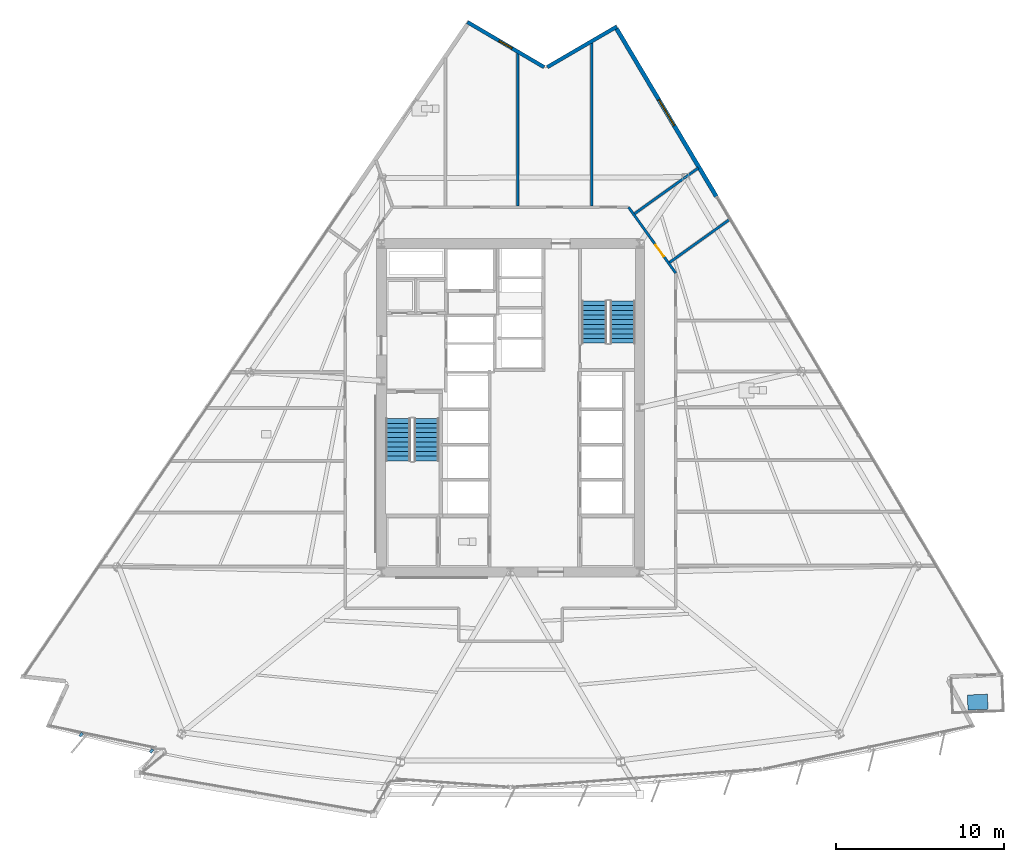
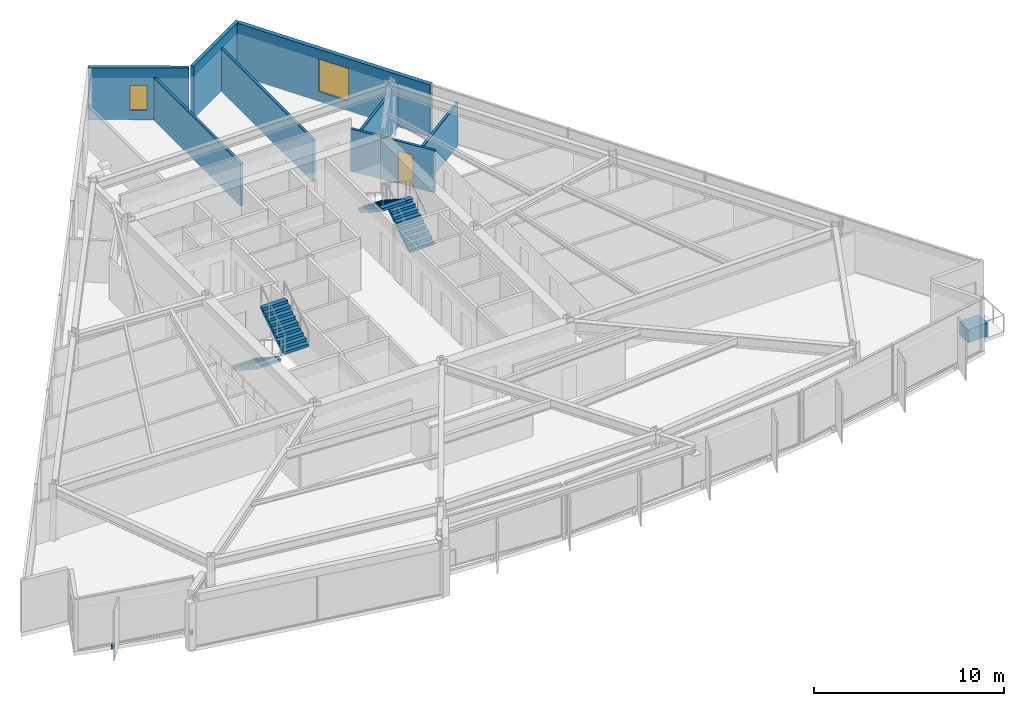
# One storey, part 11 of 17: 8 walls, 4 stair flights, 3 discrete accessories, 2 windows, 1 door, 3 openings, 2 elements without a shape of their own.
"""IFC4 building model written with IfcOpenShell, lengths in metres."""

from ifc_helpers import new_model, si_unit, direction, frame, frame_2d, origin, origin_2d, place, context, subcontext, project, spatial, polyline, rectangle, outline, extrude, material, layer, layer_set, type_object, element, fill, aggregate, save


model = new_model("IFC4")

# Units and contexts
model_context = context("Model", 3, precision=1e-05, world=origin(), true_north=direction((0.0, 1.0)))
body_context = subcontext(model_context, "Body", "Model", "MODEL_VIEW")
ifc_project = project(units=[si_unit("LENGTHUNIT", "METRE"), si_unit("AREAUNIT", "SQUARE_METRE"), si_unit("VOLUMEUNIT", "CUBIC_METRE"), si_unit("PLANEANGLEUNIT", "RADIAN"), si_unit("MASSUNIT", "GRAM", prefix="KILO")], contexts=[model_context])

# Site, building, storey
site_placement = place(None, origin())
site = spatial("IfcSite", under=ifc_project, at=site_placement, CompositionType="ELEMENT")
building_placement = place(site_placement, origin())
building = spatial("IfcBuilding", under=site, at=building_placement, Name="Savorim Split Tower", CompositionType="ELEMENT")
storey_placement = place(building_placement, frame((0.0, 0.0, 62.39990234375)))
storey = spatial("IfcBuildingStorey", under=building, at=storey_placement, Name="L16", CompositionType="ELEMENT", Elevation=62.39990234375)

# Wall
ifc_material_1 = material(Name="Precast concrete C40/50", Category="concrete")
ifc_layer_1 = layer(ifc_material_1, 0.219970703125)
ifc_layer_set_1 = layer_set([ifc_layer_1], Name="WAL-EXT-CRN220")
wall_type_1 = type_object("IfcWallType", Name="WAL-EXT-CRN220", PredefinedType="SOLIDWALL", material=ifc_layer_set_1)
wall_1_placement = place(storey_placement, frame((2.193359375, 20.71337890625, 0.0), z_axis=(0.0, 0.0, 1.0), x_axis=(0.863964978951, 0.503551899159, 0.0)))
element("IfcWall", 1, at=wall_1_placement, inside=storey, type_object=wall_type_1, Name="L16 Notched Corner Facade Wall NE1", PredefinedType="SOLIDWALL", context=body_context, shape_type="SweptSolid", body=[
    extrude(rectangle(XDim=4.8046875, YDim=0.219970703125, at=frame_2d((2.40234375, 0.0))), origin(), (0.0, 0.0, 1.0), 3.35009765625),
])

# Wall, opening, window
wall_2_placement = place(storey_placement, frame((-2.572265625, 23.40283203125, 0.0), z_axis=(0.0, 0.0, 1.0), x_axis=(0.862137551275, -0.506674296449, 0.0)))
wall_2 = element("IfcWall", 2, at=wall_2_placement, inside=storey, type_object=wall_type_1, Name="L16 Notched Corner Facade Wall N", PredefinedType="SOLIDWALL", context=body_context, shape_type="SweptSolid", body=[
    extrude(rectangle(XDim=5.30712890625, YDim=0.219970703125, at=frame_2d((2.653564453125, 0.0))), origin(), (0.0, 0.0, 1.0), 3.35009765625),
])
opening_1_placement = place(wall_2_placement, frame((2.20361328125, 0.0, 0.6201171875)))
opening_1 = element("IfcOpeningElement", 3, at=opening_1_placement, cuts=wall_2, Name="Opening WN-10", PredefinedType="OPENING", context=body_context, shape_type="SweptSolid", body=[
    extrude(rectangle(XDim=0.89990234375, YDim=1.60009765625, at=frame_2d((0.449951171875, 0.800048828125))), frame((0.0, 0.119873046875, 0.0), z_axis=(0.0, -1.0, 0.0), x_axis=(1.0, 0.0, 0.0)), (0.0, 0.0, 1.0), 0.239990234375),
])
ifc_material_2 = material(Name="Low-E Operable Double Glazing", Category="glass")
window_type_1 = type_object("IfcWindowType", Name="WIN-TWR-900x1600", PartitioningType="SINGLE_PANEL", PredefinedType="WINDOW", material=ifc_material_2)
window_1_placement = place(opening_1_placement, origin())
window_1 = element("IfcWindow", 4, at=window_1_placement, inside=storey, type_object=window_type_1, Name="L16 Operable Corner Window N", OverallHeight=1.60009765625, OverallWidth=0.89990234375, PartitioningType="SINGLE_PANEL", PredefinedType="WINDOW", context=body_context, shape_type="SweptSolid", body=[
    extrude(rectangle(XDim=0.89990234375, YDim=1.60009765625, at=frame_2d((0.449951171875, 0.800048828125))), frame((0.0, 0.030029296875, 0.0), z_axis=(0.0, -1.0, 0.0), x_axis=(1.0, 0.0, 0.0)), (0.0, 0.0, 1.0), 0.06005859375),
])
fill(opening_1, window_1)

ifc_layer_2 = layer(ifc_material_1, 0.25)
ifc_layer_set_2 = layer_set([ifc_layer_2], Name="WAL-EXT-SPN250")
wall_type_2 = type_object("IfcWallType", Name="WAL-EXT-SPN250", PredefinedType="SOLIDWALL", material=ifc_layer_set_2)
wall_3_placement = place(storey_placement, frame((6.327880859375, 23.006103515625, 0.0), z_axis=(0.0, 0.0, 1.0), x_axis=(0.511075811474, -0.859535639125, 0.0)))
wall_3 = element("IfcWall", 5, at=wall_3_placement, inside=storey, type_object=wall_type_2, Name="L16 East Operable Window Pier", PredefinedType="SOLIDWALL", context=body_context, shape_type="SweptSolid", body=[
    extrude(rectangle(XDim=11.645751953125, YDim=0.25, at=frame_2d((5.82275390625, 0.0))), origin(), (0.0, 0.0, 1.0), 3.35009765625),
])
opening_2_placement = place(wall_3_placement, frame((4.923095703125, 0.0, 0.6201171875)))
opening_2 = element("IfcOpeningElement", 6, at=opening_2_placement, cuts=wall_3, Name="Opening WN-04", PredefinedType="OPENING", context=body_context, shape_type="SweptSolid", body=[
    extrude(rectangle(XDim=1.800048828125, YDim=2.10009765625, at=frame_2d((0.89990234375, 1.050048828125))), frame((0.0, 0.135009765625, 0.0), z_axis=(0.0, -1.0, 0.0), x_axis=(1.0, 0.0, 0.0)), (0.0, 0.0, 1.0), 0.27001953125),
])
window_type_2 = type_object("IfcWindowType", Name="WIN-TWR-1800x2100", PartitioningType="DOUBLE_PANEL_VERTICAL", PredefinedType="WINDOW", material=ifc_material_2)
window_2_placement = place(opening_2_placement, origin())
window_2 = element("IfcWindow", 7, at=window_2_placement, inside=storey, type_object=window_type_2, Name="L16 East Operable Ventilation Window", OverallHeight=2.10009765625, OverallWidth=1.800048828125, PartitioningType="SINGLE_PANEL", PredefinedType="WINDOW", context=body_context, shape_type="SweptSolid", body=[
    extrude(rectangle(XDim=1.800048828125, YDim=2.10009765625, at=frame_2d((0.89990234375, 1.050048828125))), frame((0.0, 0.030029296875, 0.0), z_axis=(0.0, -1.0, 0.0), x_axis=(1.0, 0.0, 0.0)), (0.0, 0.0, 1.0), 0.06005859375),
])
fill(opening_2, window_2)

# Wall, opening, door
ifc_material_3 = material(Name="Acoustic Gypsum Partition Board")
ifc_layer_3 = layer(ifc_material_3, 0.14990234375)
ifc_layer_set_3 = layer_set([ifc_layer_3], Name="WAL-PAR-150")
wall_type_3 = type_object("IfcWallType", Name="WAL-PAR-150", PredefinedType="PARTITIONING", material=ifc_layer_set_3)
wall_4_placement = place(storey_placement, frame((7.041015625, 12.360107421875, 0.0), z_axis=(0.0, 0.0, 1.0), x_axis=(0.582449511476, -0.812866881218, 0.0)))
wall_4 = element("IfcWall", 8, at=wall_4_placement, inside=storey, type_object=wall_type_3, Name="L16 Partition W-L16-COR-04", PredefinedType="PARTITIONING", context=body_context, shape_type="SweptSolid", body=[
    extrude(rectangle(XDim=4.840087890625, YDim=0.14990234375, at=frame_2d((2.419921875, 0.0))), origin(), (0.0, 0.0, 1.0), 2.72509765625),
])
opening_3_placement = place(wall_4_placement, frame((2.7626953125, 0.0, 0.0)))
opening_3 = element("IfcOpeningElement", 9, at=opening_3_placement, cuts=wall_4, Name="Opening DI-13", PredefinedType="OPENING", context=body_context, shape_type="SweptSolid", body=[
    extrude(rectangle(XDim=0.85009765625, YDim=2.10009765625, at=frame_2d((0.425048828125, 1.050048828125))), frame((0.0, 0.0849609375, 0.0), z_axis=(0.0, -1.0, 0.0), x_axis=(1.0, 0.0, 0.0)), (0.0, 0.0, 1.0), 0.169921875),
])
ifc_material_4 = material(Name="Timber Fire Door Leaf", Category="wood")
door_type = type_object("IfcDoorType", Name="DOR-FIR-850", OperationType="NOTDEFINED", PredefinedType="DOOR", material=ifc_material_4)
door_placement = place(opening_3_placement, origin())
door = element("IfcDoor", 10, at=door_placement, inside=storey, type_object=door_type, Name="DR-L16-RM11 - L16 Maker Workshop Entry Door", OperationType="SINGLE_SWING_RIGHT", OverallHeight=2.10009765625, OverallWidth=0.85009765625, PredefinedType="DOOR", context=body_context, shape_type="SweptSolid", body=[
    extrude(rectangle(XDim=0.85009765625, YDim=2.10009765625, at=frame_2d((0.425048828125, 1.050048828125))), frame((0.0, 0.02490234375, 0.0), z_axis=(0.0, -1.0, 0.0), x_axis=(1.0, 0.0, 0.0)), (0.0, 0.0, 1.0), 0.050048828125),
])
fill(opening_3, door)

# Walls
wall_5_placement = place(storey_placement, frame((7.393798828125, 11.970703125, 0.0), z_axis=(0.0, 0.0, 1.0), x_axis=(0.81290624287, 0.58239457441, 0.0)))
element("IfcWall", 11, at=wall_5_placement, inside=storey, type_object=wall_type_3, Name="L16 Partition W-L16-PRAD07", PredefinedType="PARTITIONING", context=body_context, shape_type="SweptSolid", body=[
    extrude(rectangle(XDim=4.69091796875, YDim=0.14990234375, at=frame_2d((2.345458984375, 0.0))), origin(), (0.0, 0.0, 1.0), 2.72509765625),
])
wall_6_placement = place(storey_placement, frame((9.479736328125, 9.059326171875, 0.0), z_axis=(0.0, 0.0, 1.0), x_axis=(0.812904993981, 0.582396317606, 0.0)))
element("IfcWall", 12, at=wall_6_placement, inside=storey, type_object=wall_type_3, Name="L16 Partition W-L16-SUB03", PredefinedType="PARTITIONING", context=body_context, shape_type="SweptSolid", body=[
    extrude(rectangle(XDim=4.384765625, YDim=0.14990234375, at=frame_2d((2.1923828125, 0.0))), origin(), (0.0, 0.0, 1.0), 2.735107421875),
])
wall_7_placement = place(storey_placement, frame((0.43359375, 12.419921875, 0.0), z_axis=(0.0, 0.0, 1.0), x_axis=(0.0, 1.0, 0.0)))
element("IfcWall", 13, at=wall_7_placement, inside=storey, type_object=wall_type_3, Name="L16 Partition W-L16-SUB04", PredefinedType="PARTITIONING", context=body_context, shape_type="SweptSolid", body=[
    extrude(rectangle(XDim=9.158447265625, YDim=0.14990234375, at=frame_2d((4.5791015625, 0.0))), origin(), (0.0, 0.0, 1.0), 2.735107421875),
])
wall_8_placement = place(storey_placement, frame((4.834716796875, 12.419921875, 0.0), z_axis=(0.0, 0.0, 1.0), x_axis=(0.0, 1.0, 0.0)))
element("IfcWall", 14, at=wall_8_placement, inside=storey, type_object=wall_type_3, Name="L16 Partition W-L16-SUB11", PredefinedType="PARTITIONING", context=body_context, shape_type="SweptSolid", body=[
    extrude(rectangle(XDim=9.775146484375, YDim=0.14990234375, at=frame_2d((4.8876953125, 0.0))), origin(), (0.0, 0.0, 1.0), 2.735107421875),
])

# Stair, stair flights
ifc_material_5 = material(Name="Concrete C50/60", Category="concrete")
stair_type = type_object("IfcStairType", Name="STR-DOG-3600", PredefinedType="HALF_TURN_STAIR", material=ifc_material_5)
stair_1_placement = place(storey_placement, origin())
stair_1 = element("IfcStair", 15, at=stair_1_placement, inside=storey, type_object=stair_type, Name="L16 Core Protected Exit Stair ST-1", PredefinedType="HALF_TURN_STAIR")
stair_flight_type = type_object("IfcStairFlightType", Name="SFL-DOG-3600", PredefinedType="STRAIGHT", material=ifc_material_5)
stair_flight_1_placement = place(storey_placement, frame((-6.699951171875, -0.25, 0.0), z_axis=(0.0, 0.0, 1.0), x_axis=(0.0, -1.0, 0.0)))
stair_flight_1 = element("IfcStairFlight", 16, at=stair_flight_1_placement, type_object=stair_flight_type, Name="ST-1 flight 1", NumberOfRisers=10, NumberOfTreads=9, PredefinedType="STRAIGHT", RiserHeight=0.18, TreadLength=0.28, context=body_context, shape_type="SweptSolid", body=[
    extrude(outline(polyline([(0.0, 0.0), (0.0, 0.179931640625), (0.280029296875, 0.179931640625), (0.280029296875, 0.360107421875), (0.56005859375, 0.360107421875), (0.56005859375, 0.5400390625), (0.840087890625, 0.5400390625), (0.840087890625, 0.719970703125), (1.1201171875, 0.719970703125), (1.1201171875, 0.89990234375), (1.39990234375, 0.89990234375), (1.39990234375, 1.080078125), (1.679931640625, 1.080078125), (1.679931640625, 1.260009765625), (1.9599609375, 1.260009765625), (1.9599609375, 1.43994140625), (2.239990234375, 1.43994140625), (2.239990234375, 1.6201171875), (2.52001953125, 1.6201171875), (2.52001953125, 1.800048828125), (2.52001953125, 1.44189453125), (0.277099609375, 0.0), (0.0, 0.0)])), frame((0.0, 0.75, 0.0), z_axis=(0.0, -1.0, 0.0), x_axis=(1.0, 0.0, 0.0)), (0.0, 0.0, 1.0), 1.5),
])
stair_flight_2_placement = place(storey_placement, frame((-5.0, -2.77001953125, 1.800048828125), z_axis=(0.0, 0.0, 1.0), x_axis=(0.0, 1.0, 0.0)))
stair_flight_2 = element("IfcStairFlight", 17, at=stair_flight_2_placement, type_object=stair_flight_type, Name="ST-1 flight 2", NumberOfRisers=10, NumberOfTreads=9, PredefinedType="STRAIGHT", RiserHeight=0.18, TreadLength=0.28, context=body_context, shape_type="SweptSolid", body=[
    extrude(outline(polyline([(0.0, 0.0), (0.0, 0.179931640625), (0.280029296875, 0.179931640625), (0.280029296875, 0.360107421875), (0.56005859375, 0.360107421875), (0.56005859375, 0.5400390625), (0.840087890625, 0.5400390625), (0.840087890625, 0.719970703125), (1.1201171875, 0.719970703125), (1.1201171875, 0.89990234375), (1.39990234375, 0.89990234375), (1.39990234375, 1.080078125), (1.679931640625, 1.080078125), (1.679931640625, 1.260009765625), (1.9599609375, 1.260009765625), (1.9599609375, 1.43994140625), (2.239990234375, 1.43994140625), (2.239990234375, 1.6201171875), (2.52001953125, 1.6201171875), (2.52001953125, 1.800048828125), (2.52001953125, 1.44189453125), (0.277099609375, 0.0), (0.0, 0.0)])), frame((0.0, 0.75, 0.0), z_axis=(0.0, -1.0, 0.0), x_axis=(1.0, 0.0, 0.0)), (0.0, 0.0, 1.0), 1.5),
])
aggregate(stair_1, [stair_flight_1, stair_flight_2])

stair_2_placement = place(storey_placement, origin())
stair_2 = element("IfcStair", 18, at=stair_2_placement, inside=storey, type_object=stair_type, Name="L16 Core Protected Exit Stair ST-2", PredefinedType="HALF_TURN_STAIR")
stair_flight_3_placement = place(storey_placement, frame((6.699951171875, 4.25, 0.0), z_axis=(0.0, 0.0, 1.0), x_axis=(0.0, 1.0, 0.0)))
stair_flight_3 = element("IfcStairFlight", 19, at=stair_flight_3_placement, type_object=stair_flight_type, Name="ST-2 flight 1", NumberOfRisers=10, NumberOfTreads=9, PredefinedType="STRAIGHT", RiserHeight=0.18, TreadLength=0.28, context=body_context, shape_type="SweptSolid", body=[
    extrude(outline(polyline([(0.0, 0.0), (0.0, 0.179931640625), (0.280029296875, 0.179931640625), (0.280029296875, 0.360107421875), (0.56005859375, 0.360107421875), (0.56005859375, 0.5400390625), (0.840087890625, 0.5400390625), (0.840087890625, 0.719970703125), (1.1201171875, 0.719970703125), (1.1201171875, 0.89990234375), (1.39990234375, 0.89990234375), (1.39990234375, 1.080078125), (1.679931640625, 1.080078125), (1.679931640625, 1.260009765625), (1.9599609375, 1.260009765625), (1.9599609375, 1.43994140625), (2.239990234375, 1.43994140625), (2.239990234375, 1.6201171875), (2.52001953125, 1.6201171875), (2.52001953125, 1.800048828125), (2.52001953125, 1.44189453125), (0.277099609375, 0.0), (0.0, 0.0)])), frame((0.0, 0.75, 0.0), z_axis=(0.0, -1.0, 0.0), x_axis=(1.0, 0.0, 0.0)), (0.0, 0.0, 1.0), 1.5),
])
stair_flight_4_placement = place(storey_placement, frame((5.0, 6.77001953125, 1.800048828125), z_axis=(0.0, 0.0, 1.0), x_axis=(0.0, -1.0, 0.0)))
stair_flight_4 = element("IfcStairFlight", 20, at=stair_flight_4_placement, type_object=stair_flight_type, Name="ST-2 flight 2", NumberOfRisers=10, NumberOfTreads=9, PredefinedType="STRAIGHT", RiserHeight=0.18, TreadLength=0.28, context=body_context, shape_type="SweptSolid", body=[
    extrude(outline(polyline([(0.0, 0.0), (0.0, 0.179931640625), (0.280029296875, 0.179931640625), (0.280029296875, 0.360107421875), (0.56005859375, 0.360107421875), (0.56005859375, 0.5400390625), (0.840087890625, 0.5400390625), (0.840087890625, 0.719970703125), (1.1201171875, 0.719970703125), (1.1201171875, 0.89990234375), (1.39990234375, 0.89990234375), (1.39990234375, 1.080078125), (1.679931640625, 1.080078125), (1.679931640625, 1.260009765625), (1.9599609375, 1.260009765625), (1.9599609375, 1.43994140625), (2.239990234375, 1.43994140625), (2.239990234375, 1.6201171875), (2.52001953125, 1.6201171875), (2.52001953125, 1.800048828125), (2.52001953125, 1.44189453125), (0.277099609375, 0.0), (0.0, 0.0)])), frame((0.0, 0.75, 0.0), z_axis=(0.0, -1.0, 0.0), x_axis=(1.0, 0.0, 0.0)), (0.0, 0.0, 1.0), 1.5),
])
aggregate(stair_2, [stair_flight_3, stair_flight_4])

# Discrete accessories
ifc_material_6 = material(Name="Steel S355", Category="steel")
discrete_accessory_type_1 = type_object("IfcDiscreteAccessoryType", Name="ACC-BRK-FIN", PredefinedType="BRACKET", material=ifc_material_6)
for number, where, z_axis, x_axis, name in (
    (21, (-25.611572265625, -19.10986328125, -0.18994140625), (0.0, 0.0, 1.0), (-0.643719022682, -0.765261928909, 0.0), "L16 Fin Slab-Edge Cleat Bracket 01"),
    (22, (-21.408935546875, -20.072265625, -0.18994140625), (0.0, 0.0, 1.0), (-0.611868076908, -0.790959832394, 0.0), "L16 Fin Slab-Edge Cleat Bracket 02"),
):
    element("IfcDiscreteAccessory", number, at=place(storey_placement, frame(where, z_axis=z_axis, x_axis=x_axis)), inside=storey, type_object=discrete_accessory_type_1, Name=name, PredefinedType="BRACKET", context=body_context, shape_type="SweptSolid", body=[
        extrude(rectangle(XDim=0.239990234375, YDim=0.159912109375, at=origin_2d()), origin(), (0.0, 0.0, 1.0), 0.219970703125),
    ])
ifc_material_7 = material(Name="Architectural Precast Planter Concrete C40/50", Category="concrete")
discrete_accessory_type_2 = type_object("IfcDiscreteAccessoryType", Name="ACC-PLN-TREE", PredefinedType="USERDEFINED", material=ifc_material_7)
discrete_accessory_placement = place(storey_placement, frame((27.86669921875, -17.15966796875, 0.0), z_axis=(0.0, 0.0, 1.0), x_axis=(0.999096914995, 0.04248946279, 0.0)))
element("IfcDiscreteAccessory", 23, at=discrete_accessory_placement, inside=storey, type_object=discrete_accessory_type_2, Name="L16 Balcony Precast Tree Planter SE", ObjectType="PLANTER", PredefinedType="USERDEFINED", context=body_context, shape_type="SweptSolid", body=[
    extrude(rectangle(XDim=1.199951171875, YDim=0.89990234375, at=origin_2d()), origin(), (0.0, 0.0, 1.0), 0.85009765625),
])

save(model, "model.ifc")
